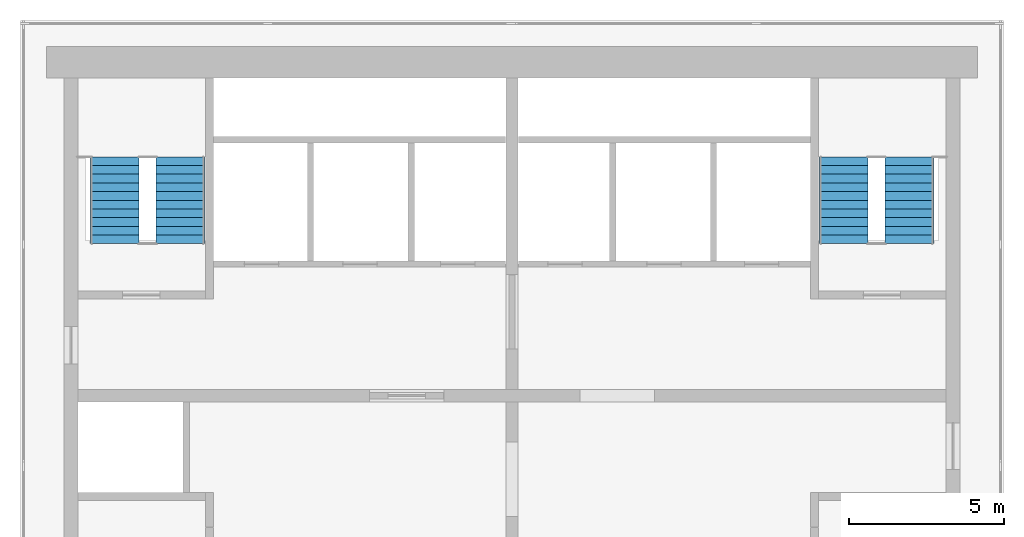
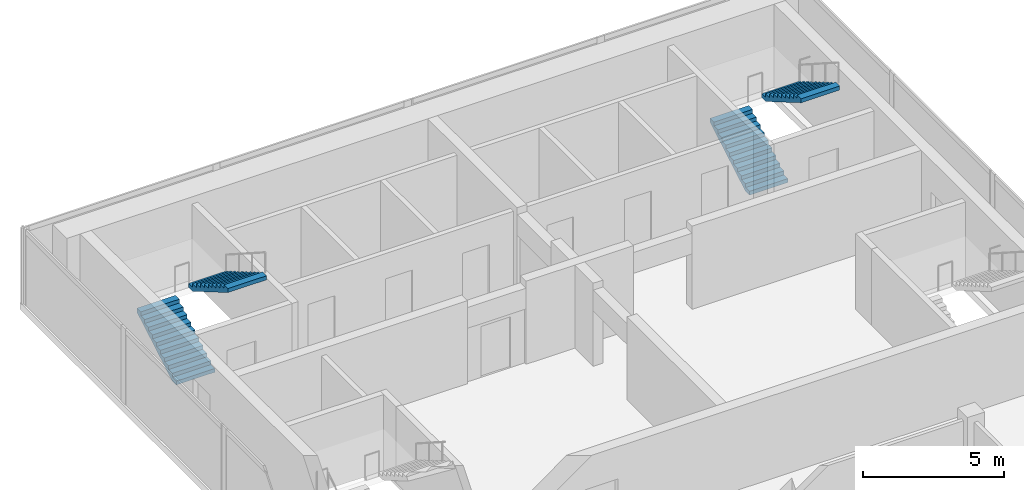
# One storey, part 4 of 5: 4 stair flights, 2 elements without a shape of their own.
"""IFC4 building model written with IfcOpenShell, lengths in metres."""

from ifc_helpers import new_model, si_unit, direction, frame, origin, place, context, subcontext, project, spatial, polyline, outline, extrude, material, type_object, element, aggregate, save


model = new_model("IFC4")

# Units and contexts
model_context = context("Model", 3, precision=1e-05, world=origin(), true_north=direction((0.0, 1.0)))
body_context = subcontext(model_context, "Body", "Model", "MODEL_VIEW")
ifc_project = project(units=[si_unit("LENGTHUNIT", "METRE"), si_unit("AREAUNIT", "SQUARE_METRE"), si_unit("VOLUMEUNIT", "CUBIC_METRE"), si_unit("PLANEANGLEUNIT", "RADIAN"), si_unit("MASSUNIT", "GRAM", prefix="KILO")], contexts=[model_context])

# Site, building, storey
site_placement = place(None, origin())
site = spatial("IfcSite", under=ifc_project, at=site_placement, CompositionType="ELEMENT")
building_placement = place(site_placement, origin())
building = spatial("IfcBuilding", under=site, at=building_placement, Name="Pilkhan Gate Tower", CompositionType="ELEMENT")
storey_placement = place(building_placement, frame((0.0, 0.0, 276.5)))
storey = spatial("IfcBuildingStorey", under=building, at=storey_placement, Name="L72", CompositionType="ELEMENT", Elevation=276.5)

# Stair, stair flights
ifc_material = material(Name="Concrete C40/50 precast", Category="concrete")
stair_type_1 = type_object("IfcStairType", Name="Stair ST3 164x280", PredefinedType="HALF_TURN_STAIR", material=ifc_material)
stair_1_placement = place(storey_placement, origin())
stair_1 = element("IfcStair", 1, at=stair_1_placement, inside=storey, type_object=stair_type_1, Name="Stair ST3 L72", PredefinedType="HALF_TURN_STAIR")
stair_flight_type_1 = type_object("IfcStairFlightType", Name="Stair flight ST3 164x280x11", PredefinedType="STRAIGHT", material=ifc_material)
stair_flight_1_placement = place(storey_placement, frame((62.18994140625, 87.39990234375, 0.0), z_axis=(0.0, 0.0, 1.0), x_axis=(0.0, 1.0, 0.0)))
stair_flight_1 = element("IfcStairFlight", 2, at=stair_flight_1_placement, type_object=stair_flight_type_1, Name="ST3 flight 1", NumberOfRisers=11, NumberOfTreads=10, PredefinedType="STRAIGHT", RiserHeight=0.163636364, TreadLength=0.28, context=body_context, shape_type="SweptSolid", body=[
    extrude(outline(polyline([(0.0, 0.0), (0.0, 0.16357421875), (0.280029296875, 0.16357421875), (0.280029296875, 0.327392578125), (0.56005859375, 0.327392578125), (0.56005859375, 0.490966796875), (0.840087890625, 0.490966796875), (0.840087890625, 0.654541015625), (1.1201171875, 0.654541015625), (1.1201171875, 0.818115234375), (1.39990234375, 0.818115234375), (1.39990234375, 0.98193359375), (1.679931640625, 0.98193359375), (1.679931640625, 1.1455078125), (1.9599609375, 1.1455078125), (1.9599609375, 1.30908203125), (2.239990234375, 1.30908203125), (2.239990234375, 1.47265625), (2.52001953125, 1.47265625), (2.52001953125, 1.636474609375), (2.800048828125, 1.636474609375), (2.800048828125, 1.800048828125), (2.800048828125, 1.462646484375), (0.297119140625, 0.0), (0.0, 0.0)])), frame((0.0, 0.7900390625, 0.0), z_axis=(0.0, -1.0, 0.0), x_axis=(1.0, 0.0, 0.0)), (0.0, 0.0, 1.0), 1.580078125),
])
stair_flight_2_placement = place(storey_placement, frame((64.31005859375, 90.199951171875, 1.800048828125), z_axis=(0.0, 0.0, 1.0), x_axis=(0.0, -1.0, 0.0)))
stair_flight_2 = element("IfcStairFlight", 3, at=stair_flight_2_placement, type_object=stair_flight_type_1, Name="ST3 flight 2", NumberOfRisers=11, NumberOfTreads=10, PredefinedType="STRAIGHT", RiserHeight=0.163636364, TreadLength=0.28, context=body_context, shape_type="SweptSolid", body=[
    extrude(outline(polyline([(0.0, 0.0), (0.0, 0.16357421875), (0.280029296875, 0.16357421875), (0.280029296875, 0.327392578125), (0.56005859375, 0.327392578125), (0.56005859375, 0.490966796875), (0.840087890625, 0.490966796875), (0.840087890625, 0.654541015625), (1.1201171875, 0.654541015625), (1.1201171875, 0.818115234375), (1.39990234375, 0.818115234375), (1.39990234375, 0.98193359375), (1.679931640625, 0.98193359375), (1.679931640625, 1.1455078125), (1.9599609375, 1.1455078125), (1.9599609375, 1.30908203125), (2.239990234375, 1.30908203125), (2.239990234375, 1.47265625), (2.52001953125, 1.47265625), (2.52001953125, 1.636474609375), (2.800048828125, 1.636474609375), (2.800048828125, 1.800048828125), (2.800048828125, 1.462646484375), (0.297119140625, 0.0), (0.0, 0.0)])), frame((0.0, 0.7900390625, 0.0), z_axis=(0.0, -1.0, 0.0), x_axis=(1.0, 0.0, 0.0)), (0.0, 0.0, 1.0), 1.580078125),
])
aggregate(stair_1, [stair_flight_1, stair_flight_2])

stair_type_2 = type_object("IfcStairType", Name="Stair ST4 164x280", PredefinedType="HALF_TURN_STAIR", material=ifc_material)
stair_2_placement = place(storey_placement, origin())
stair_2 = element("IfcStair", 4, at=stair_2_placement, inside=storey, type_object=stair_type_2, Name="Stair ST4 L72", PredefinedType="HALF_TURN_STAIR")
stair_flight_type_2 = type_object("IfcStairFlightType", Name="Stair flight ST4 164x280x11", PredefinedType="STRAIGHT", material=ifc_material)
stair_flight_3_placement = place(storey_placement, frame((85.68994140625, 87.39990234375, 0.0), z_axis=(0.0, 0.0, 1.0), x_axis=(0.0, 1.0, 0.0)))
stair_flight_3 = element("IfcStairFlight", 5, at=stair_flight_3_placement, type_object=stair_flight_type_2, Name="ST4 flight 1", NumberOfRisers=11, NumberOfTreads=10, PredefinedType="STRAIGHT", RiserHeight=0.163636364, TreadLength=0.28, context=body_context, shape_type="SweptSolid", body=[
    extrude(outline(polyline([(0.0, 0.0), (0.0, 0.16357421875), (0.280029296875, 0.16357421875), (0.280029296875, 0.327392578125), (0.56005859375, 0.327392578125), (0.56005859375, 0.490966796875), (0.840087890625, 0.490966796875), (0.840087890625, 0.654541015625), (1.1201171875, 0.654541015625), (1.1201171875, 0.818115234375), (1.39990234375, 0.818115234375), (1.39990234375, 0.98193359375), (1.679931640625, 0.98193359375), (1.679931640625, 1.1455078125), (1.9599609375, 1.1455078125), (1.9599609375, 1.30908203125), (2.239990234375, 1.30908203125), (2.239990234375, 1.47265625), (2.52001953125, 1.47265625), (2.52001953125, 1.636474609375), (2.800048828125, 1.636474609375), (2.800048828125, 1.800048828125), (2.800048828125, 1.462646484375), (0.297119140625, 0.0), (0.0, 0.0)])), frame((0.0, 0.7900390625, 0.0), z_axis=(0.0, -1.0, 0.0), x_axis=(1.0, 0.0, 0.0)), (0.0, 0.0, 1.0), 1.580078125),
])
stair_flight_4_placement = place(storey_placement, frame((87.81005859375, 90.199951171875, 1.800048828125), z_axis=(0.0, 0.0, 1.0), x_axis=(0.0, -1.0, 0.0)))
stair_flight_4 = element("IfcStairFlight", 6, at=stair_flight_4_placement, type_object=stair_flight_type_2, Name="ST4 flight 2", NumberOfRisers=11, NumberOfTreads=10, PredefinedType="STRAIGHT", RiserHeight=0.163636364, TreadLength=0.28, context=body_context, shape_type="SweptSolid", body=[
    extrude(outline(polyline([(0.0, 0.0), (0.0, 0.16357421875), (0.280029296875, 0.16357421875), (0.280029296875, 0.327392578125), (0.56005859375, 0.327392578125), (0.56005859375, 0.490966796875), (0.840087890625, 0.490966796875), (0.840087890625, 0.654541015625), (1.1201171875, 0.654541015625), (1.1201171875, 0.818115234375), (1.39990234375, 0.818115234375), (1.39990234375, 0.98193359375), (1.679931640625, 0.98193359375), (1.679931640625, 1.1455078125), (1.9599609375, 1.1455078125), (1.9599609375, 1.30908203125), (2.239990234375, 1.30908203125), (2.239990234375, 1.47265625), (2.52001953125, 1.47265625), (2.52001953125, 1.636474609375), (2.800048828125, 1.636474609375), (2.800048828125, 1.800048828125), (2.800048828125, 1.462646484375), (0.297119140625, 0.0), (0.0, 0.0)])), frame((0.0, 0.7900390625, 0.0), z_axis=(0.0, -1.0, 0.0), x_axis=(1.0, 0.0, 0.0)), (0.0, 0.0, 1.0), 1.580078125),
])
aggregate(stair_2, [stair_flight_3, stair_flight_4])

save(model, "model.ifc")
